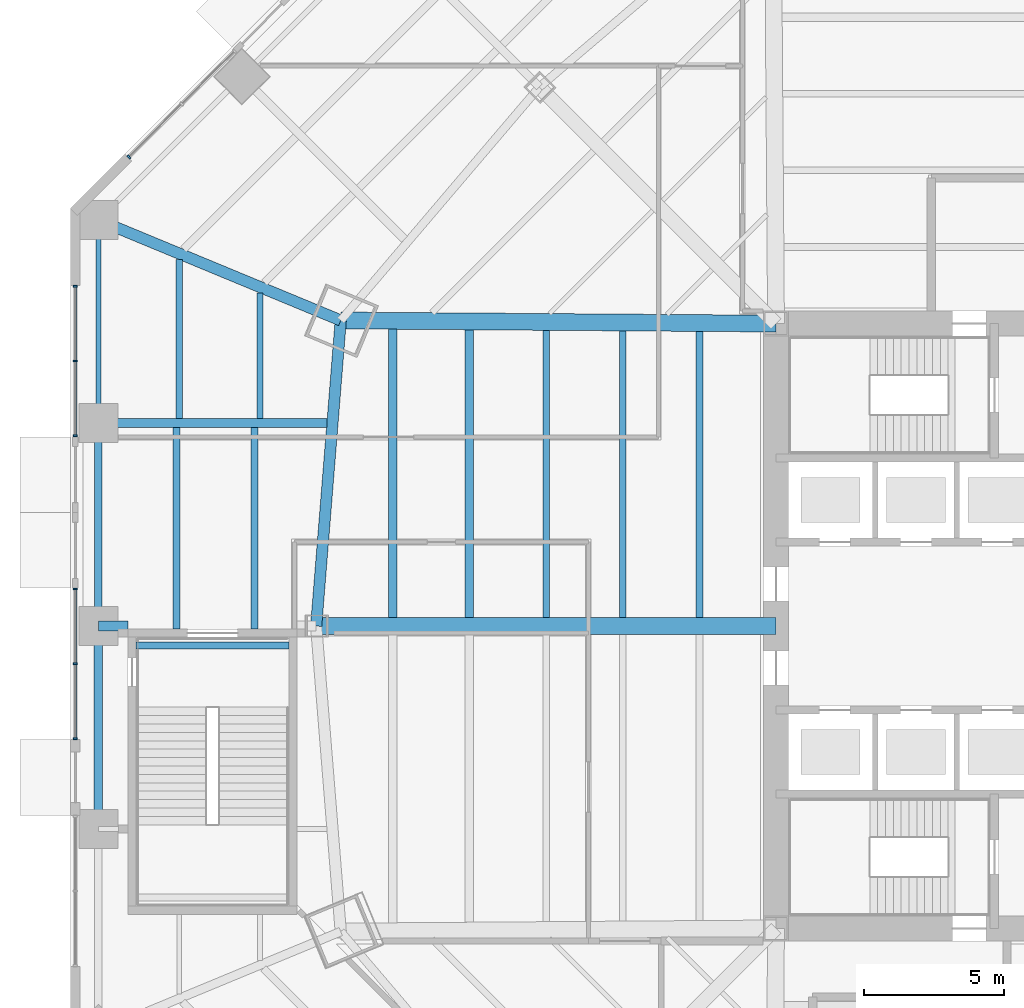
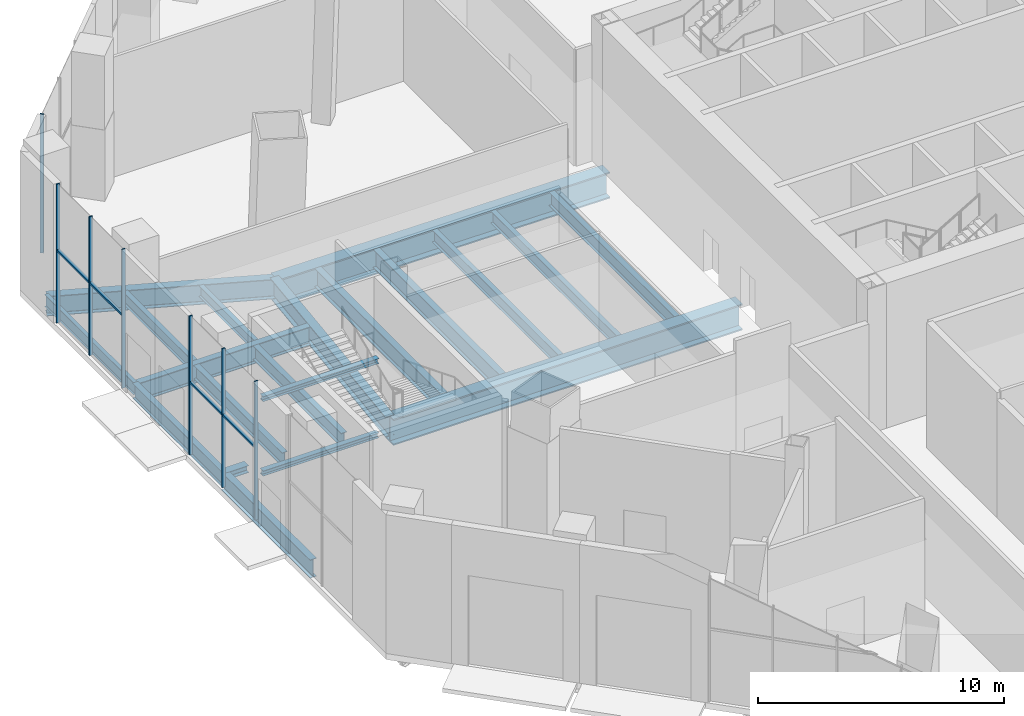
# One storey, part 8 of 35: 19 beams, 12 members, 3 elements without a shape of their own.
"""IFC4 building model written with IfcOpenShell, lengths in metres."""

from ifc_helpers import new_model, si_unit, direction, frame, origin, origin_2d, place, context, subcontext, project, spatial, rectangle, i_section, extrude, source, transform, mapped, material, material_profile, profile_set, type_object, type_shapes, element, aggregate, save


model = new_model("IFC4")

# Units and contexts
model_context = context("Model", 3, precision=1e-05, world=origin(), true_north=direction((0.0, 1.0)))
body_context = subcontext(model_context, "Body", "Model", "MODEL_VIEW")
ifc_project = project(units=[si_unit("LENGTHUNIT", "METRE"), si_unit("AREAUNIT", "SQUARE_METRE"), si_unit("VOLUMEUNIT", "CUBIC_METRE"), si_unit("PLANEANGLEUNIT", "RADIAN"), si_unit("MASSUNIT", "GRAM", prefix="KILO")], contexts=[model_context])

# Site, building, storey
site_placement = place(None, origin())
site = spatial("IfcSite", under=ifc_project, at=site_placement, CompositionType="ELEMENT")
building_placement = place(site_placement, origin())
building = spatial("IfcBuilding", under=site, at=building_placement, Name="Mashrafa Tower", CompositionType="ELEMENT")
storey_placement = place(building_placement, origin())
storey = spatial("IfcBuildingStorey", under=building, at=storey_placement, Name="L00", CompositionType="ELEMENT", Elevation=0.0)

# Beams
ifc_material_1 = material(Name="Steel ASTM A572 Gr 50", Category="steel")
ifc_material_profile_1 = material_profile(ifc_material_1, i_section(OverallWidth=0.60009765625, OverallDepth=1.300048828125, WebThickness=0.028076171875, FlangeThickness=0.06494140625, at=origin_2d()), Name="H1300X600X28X65")
ifc_profile_set_1 = profile_set([ifc_material_profile_1], Name="Steel ASTM A572 Gr 50")
beam_type_1 = type_object("IfcBeamType", Name="Beam H1300X600X28X65", PredefinedType="BEAM", material=ifc_profile_set_1)
beam_1_placement = place(storey_placement, frame((-10.800048828125, 0.0, -0.949951171875), z_axis=(-1.0, 0.0, 0.0), x_axis=(0.0, -1.0, 0.0)))
element("IfcBeam", 1, at=beam_1_placement, inside=storey, type_object=beam_type_1, Name="Radial girder L00 200", PredefinedType="BEAM", context=body_context, shape_type="SweptSolid", body=[
    extrude(i_section(OverallWidth=0.60009765625, OverallDepth=1.300048828125, WebThickness=0.028076171875, FlangeThickness=0.06494140625, at=origin_2d()), origin(), (0.0, 0.0, 1.0), 16.423095703125),
])
beam_2_placement = place(storey_placement, frame((-10.800048828125, 10.800048828125, -0.949951171875), z_axis=(-0.999973790557, 0.007240041422, 0.0), x_axis=(-0.007240041422, -0.999973790557, 0.0)))
element("IfcBeam", 2, at=beam_2_placement, inside=storey, type_object=beam_type_1, Name="Radial girder L00 201", PredefinedType="BEAM", context=body_context, shape_type="SweptSolid", body=[
    extrude(i_section(OverallWidth=0.60009765625, OverallDepth=1.300048828125, WebThickness=0.028076171875, FlangeThickness=0.06494140625, at=origin_2d()), origin(), (0.0, 0.0, 1.0), 15.54541015625),
])
ifc_material_2 = material(Name="Steel ASTM A992", Category="steel")
ifc_material_profile_2 = material_profile(ifc_material_2, i_section(OverallWidth=0.209228515625, OverallDepth=0.533447265625, WebThickness=0.01025390625, FlangeThickness=0.015625, FilletRadius=0.012939453125, at=origin_2d()), Name="W21X62")
ifc_profile_set_2 = profile_set([ifc_material_profile_2], Name="Steel ASTM A992")
beam_type_2 = type_object("IfcBeamType", Name="Beam W21X62", PredefinedType="BEAM", material=ifc_profile_set_2)
beam_3_placement = place(storey_placement, frame((-29.22998046875, 7.40234375, -0.566650390625), z_axis=(0.0, 1.0, 0.0), x_axis=(-1.0, 0.0, 0.0)))
element("IfcBeam", 3, at=beam_3_placement, inside=storey, type_object=beam_type_2, Name="Floor beam L00 007", PredefinedType="BEAM", context=body_context, shape_type="SweptSolid", body=[
    extrude(i_section(OverallWidth=0.209228515625, OverallDepth=0.533447265625, WebThickness=0.01025390625, FlangeThickness=0.015625, FilletRadius=0.012939453125, at=origin_2d()), origin(), (0.0, 0.0, 1.0), 4.488037109375),
])
ifc_material_3 = material(Name="Steel ASTM A992", Category="steel")
ifc_material_profile_3 = material_profile(ifc_material_3, i_section(OverallWidth=0.177978515625, OverallDepth=0.599365234375, WebThickness=0.010009765625, FlangeThickness=0.012939453125, FilletRadius=0.012939453125, at=origin_2d()), Name="W24X55")
ifc_profile_set_3 = profile_set([ifc_material_profile_3], Name="Steel ASTM A992")
beam_type_3 = type_object("IfcBeamType", Name="Beam W24X55", PredefinedType="BEAM", material=ifc_profile_set_3)
beam_4_placement = place(storey_placement, frame((-35.0, 14.49755859375, -0.599609375), z_axis=(0.0, -1.0, 0.0), x_axis=(1.0, 0.0, 0.0)))
element("IfcBeam", 4, at=beam_4_placement, inside=storey, type_object=beam_type_3, Name="Podium edge beam L00 112", PredefinedType="BEAM", context=body_context, shape_type="SweptSolid", body=[
    extrude(i_section(OverallWidth=0.177978515625, OverallDepth=0.599365234375, WebThickness=0.010009765625, FlangeThickness=0.012939453125, FilletRadius=0.012939453125, at=origin_2d()), origin(), (0.0, 0.0, 1.0), 7.248779296875),
])
ifc_material_4 = material(Name="Steel ASTM A992", Category="steel")
ifc_material_profile_4 = material_profile(ifc_material_4, i_section(OverallWidth=0.227783203125, OverallDepth=0.60205078125, WebThickness=0.010498046875, FlangeThickness=0.014892578125, FilletRadius=0.012939453125, at=origin_2d()), Name="W24X68")
ifc_profile_set_4 = profile_set([ifc_material_profile_4], Name="Steel ASTM A992")
beam_type_4 = type_object("IfcBeamType", Name="Beam W24X68", PredefinedType="BEAM", material=ifc_profile_set_4)
beam_5_placement = place(storey_placement, frame((-32.114990234375, 7.40234375, -0.60107421875), z_axis=(0.0, 1.0, 0.0), x_axis=(-1.0, 0.0, 0.0)))
element("IfcBeam", 5, at=beam_5_placement, inside=storey, type_object=beam_type_4, Name="Floor beam L00 003", PredefinedType="BEAM", context=body_context, shape_type="SweptSolid", body=[
    extrude(i_section(OverallWidth=0.227783203125, OverallDepth=0.60205078125, WebThickness=0.010498046875, FlangeThickness=0.014892578125, FilletRadius=0.012939453125, at=origin_2d()), origin(), (0.0, 0.0, 1.0), 5.682861328125),
])
ifc_material_5 = material(Name="Steel ASTM A992", Category="steel")
ifc_material_profile_5 = material_profile(ifc_material_5, i_section(OverallWidth=0.228271484375, OverallDepth=0.607177734375, WebThickness=0.01123046875, FlangeThickness=0.017333984375, FilletRadius=0.0126953125, at=origin_2d()), Name="W24X76")
ifc_profile_set_5 = profile_set([ifc_material_profile_5], Name="Steel ASTM A992")
beam_type_5 = type_object("IfcBeamType", Name="Beam W24X76", PredefinedType="BEAM", material=ifc_profile_set_5)
beam_6_placement = place(storey_placement, frame((-19.01171875, 0.300048828125, -0.603515625), z_axis=(0.0, 1.0, 0.0), x_axis=(-1.0, 0.0, 0.0)))
element("IfcBeam", 6, at=beam_6_placement, inside=storey, type_object=beam_type_5, Name="Floor beam L00 020", PredefinedType="BEAM", context=body_context, shape_type="SweptSolid", body=[
    extrude(i_section(OverallWidth=0.228271484375, OverallDepth=0.607177734375, WebThickness=0.01123046875, FlangeThickness=0.017333984375, FilletRadius=0.0126953125, at=origin_2d()), origin(), (0.0, 0.0, 1.0), 10.25927734375),
])
beam_7_placement = place(storey_placement, frame((-16.2744140625, 0.300048828125, -0.603515625), z_axis=(0.0, 1.0, 0.0), x_axis=(-1.0, 0.0, 0.0)))
element("IfcBeam", 7, at=beam_7_placement, inside=storey, type_object=beam_type_5, Name="Floor beam L00 024", PredefinedType="BEAM", context=body_context, shape_type="SweptSolid", body=[
    extrude(i_section(OverallWidth=0.228271484375, OverallDepth=0.607177734375, WebThickness=0.01123046875, FlangeThickness=0.017333984375, FilletRadius=0.0126953125, at=origin_2d()), origin(), (0.0, 0.0, 1.0), 10.239501953125),
])
ifc_material_6 = material(Name="Steel ASTM A992", Category="steel")
ifc_material_profile_6 = material_profile(ifc_material_6, i_section(OverallWidth=0.256591796875, OverallDepth=0.693359375, WebThickness=0.014404296875, FlangeThickness=0.023681640625, FilletRadius=0.01513671875, at=origin_2d()), Name="W27X114")
ifc_profile_set_6 = profile_set([ifc_material_profile_6], Name="Steel ASTM A992")
beam_type_6 = type_object("IfcBeamType", Name="Beam W27X114", PredefinedType="BEAM", material=ifc_profile_set_6)
beam_8_placement = place(storey_placement, frame((-29.426513671875, -0.10009765625, -0.646728515625), z_axis=(0.0, 1.0, 0.0), x_axis=(-1.0, 0.0, 0.0)))
element("IfcBeam", 8, at=beam_8_placement, inside=storey, type_object=beam_type_6, Name="Floor beam L00 005", PredefinedType="BEAM", context=body_context, shape_type="SweptSolid", body=[
    extrude(i_section(OverallWidth=0.256591796875, OverallDepth=0.693359375, WebThickness=0.014404296875, FlangeThickness=0.023681640625, FilletRadius=0.01513671875, at=origin_2d()), origin(), (0.0, 0.0, 1.0), 7.195068359375),
])
ifc_material_7 = material(Name="Steel ASTM A992", Category="steel")
ifc_material_profile_7 = material_profile(ifc_material_7, i_section(OverallWidth=0.25390625, OverallDepth=0.67822265625, WebThickness=0.01171875, FlangeThickness=0.016357421875, FilletRadius=0.01513671875, at=origin_2d()), Name="W27X84")
ifc_profile_set_7 = profile_set([ifc_material_profile_7], Name="Steel ASTM A992")
beam_type_7 = type_object("IfcBeamType", Name="Beam W27X84", PredefinedType="BEAM", material=ifc_profile_set_7)
beam_9_placement = place(storey_placement, frame((-32.21337890625, -0.10009765625, -0.63916015625), z_axis=(0.0, 1.0, 0.0), x_axis=(-1.0, 0.0, 0.0)))
element("IfcBeam", 9, at=beam_9_placement, inside=storey, type_object=beam_type_7, Name="Floor beam L00 001", PredefinedType="BEAM", context=body_context, shape_type="SweptSolid", body=[
    extrude(i_section(OverallWidth=0.25390625, OverallDepth=0.67822265625, WebThickness=0.01171875, FlangeThickness=0.016357421875, FilletRadius=0.01513671875, at=origin_2d()), origin(), (0.0, 0.0, 1.0), 7.195068359375),
])
beam_10_placement = place(storey_placement, frame((-13.537109375, 0.300048828125, -0.63916015625), z_axis=(0.0, 1.0, 0.0), x_axis=(-1.0, 0.0, 0.0)))
element("IfcBeam", 10, at=beam_10_placement, inside=storey, type_object=beam_type_7, Name="Floor beam L00 029", PredefinedType="BEAM", context=body_context, shape_type="SweptSolid", body=[
    extrude(i_section(OverallWidth=0.25390625, OverallDepth=0.67822265625, WebThickness=0.01171875, FlangeThickness=0.016357421875, FilletRadius=0.01513671875, at=origin_2d()), origin(), (0.0, 0.0, 1.0), 10.2197265625),
])
ifc_material_8 = material(Name="Steel ASTM A992", Category="steel")
ifc_material_profile_8 = material_profile(ifc_material_8, i_section(OverallWidth=0.2666015625, OverallDepth=0.75439453125, WebThickness=0.01318359375, FlangeThickness=0.01708984375, FilletRadius=0.0166015625, at=origin_2d()), Name="W30X99")
ifc_profile_set_8 = profile_set([ifc_material_profile_8], Name="Steel ASTM A992")
beam_type_8 = type_object("IfcBeamType", Name="Beam W30X99", PredefinedType="BEAM", material=ifc_profile_set_8)
beam_11_placement = place(storey_placement, frame((-35.0, 7.248779296875, -0.67724609375), z_axis=(0.0, -1.0, 0.0), x_axis=(1.0, 0.0, 0.0)))
element("IfcBeam", 11, at=beam_11_placement, inside=storey, type_object=beam_type_8, Name="Podium edge beam L00 111", PredefinedType="BEAM", context=body_context, shape_type="SweptSolid", body=[
    extrude(i_section(OverallWidth=0.2666015625, OverallDepth=0.75439453125, WebThickness=0.01318359375, FlangeThickness=0.01708984375, FilletRadius=0.0166015625, at=origin_2d()), origin(), (0.0, 0.0, 1.0), 7.248779296875),
])
ifc_material_9 = material(Name="Steel ASTM A992", Category="steel")
ifc_material_profile_9 = material_profile(ifc_material_9, i_section(OverallWidth=0.3046875, OverallDepth=0.911865234375, WebThickness=0.015869140625, FlangeThickness=0.02392578125, FilletRadius=0.01904296875, at=origin_2d()), Name="W36X150")
ifc_profile_set_9 = profile_set([ifc_material_profile_9], Name="Steel ASTM A992")
beam_type_9 = type_object("IfcBeamType", Name="Beam W36X150", PredefinedType="BEAM", material=ifc_profile_set_9)
beam_12_placement = place(storey_placement, frame((-21.748779296875, 0.300048828125, -0.755859375), z_axis=(0.0, 1.0, 0.0), x_axis=(-1.0, 0.0, 0.0)))
element("IfcBeam", 12, at=beam_12_placement, inside=storey, type_object=beam_type_9, Name="Floor beam L00 015", PredefinedType="BEAM", context=body_context, shape_type="SweptSolid", body=[
    extrude(i_section(OverallWidth=0.3046875, OverallDepth=0.911865234375, WebThickness=0.015869140625, FlangeThickness=0.02392578125, FilletRadius=0.01904296875, at=origin_2d()), origin(), (0.0, 0.0, 1.0), 10.279052734375),
])
beam_13_placement = place(storey_placement, frame((-35.0, 0.0, -0.755859375), z_axis=(0.0, -1.0, 0.0), x_axis=(1.0, 0.0, 0.0)))
element("IfcBeam", 13, at=beam_13_placement, inside=storey, type_object=beam_type_9, Name="Podium edge beam L00 110", PredefinedType="BEAM", context=body_context, shape_type="SweptSolid", body=[
    extrude(i_section(OverallWidth=0.3046875, OverallDepth=0.911865234375, WebThickness=0.015869140625, FlangeThickness=0.02392578125, FilletRadius=0.01904296875, at=origin_2d()), origin(), (0.0, 0.0, 1.0), 7.248779296875),
])
ifc_material_10 = material(Name="Steel ASTM A992", Category="steel")
ifc_material_profile_10 = material_profile(ifc_material_10, i_section(OverallWidth=0.307373046875, OverallDepth=0.927001953125, WebThickness=0.01953125, FlangeThickness=0.031982421875, FilletRadius=0.01904296875, at=origin_2d()), Name="W36X194")
ifc_profile_set_10 = profile_set([ifc_material_profile_10], Name="Steel ASTM A992")
beam_type_10 = type_object("IfcBeamType", Name="Beam W36X194", PredefinedType="BEAM", material=ifc_profile_set_10)
beam_14_placement = place(storey_placement, frame((-24.486083984375, 0.300048828125, -0.763671875), z_axis=(0.0, 1.0, 0.0), x_axis=(-1.0, 0.0, 0.0)))
element("IfcBeam", 14, at=beam_14_placement, inside=storey, type_object=beam_type_10, Name="Floor beam L00 010", PredefinedType="BEAM", context=body_context, shape_type="SweptSolid", body=[
    extrude(i_section(OverallWidth=0.307373046875, OverallDepth=0.927001953125, WebThickness=0.01953125, FlangeThickness=0.031982421875, FilletRadius=0.01904296875, at=origin_2d()), origin(), (0.0, 0.0, 1.0), 10.299072265625),
])
beam_15_placement = place(storey_placement, frame((-26.841064453125, 7.248779296875, -0.763671875), z_axis=(-1.0, 0.0, 0.0), x_axis=(0.0, -1.0, 0.0)))
element("IfcBeam", 15, at=beam_15_placement, inside=storey, type_object=beam_type_10, Name="Podium radial beam L00 144", PredefinedType="BEAM", context=body_context, shape_type="SweptSolid", body=[
    extrude(i_section(OverallWidth=0.307373046875, OverallDepth=0.927001953125, WebThickness=0.01953125, FlangeThickness=0.031982421875, FilletRadius=0.01904296875, at=origin_2d()), origin(), (0.0, 0.0, 1.0), 8.158935546875),
])
ifc_material_11 = material(Name="Steel ASTM A992", Category="steel")
ifc_material_profile_11 = material_profile(ifc_material_11, i_section(OverallWidth=0.4013671875, OverallDepth=0.98291015625, WebThickness=0.0166015625, FlangeThickness=0.027099609375, FilletRadius=0.0126953125, at=origin_2d()), Name="W40X199")
ifc_profile_set_11 = profile_set([ifc_material_profile_11], Name="Steel ASTM A992")
beam_type_11 = type_object("IfcBeamType", Name="Beam W40X199", PredefinedType="BEAM", material=ifc_profile_set_11)
beam_16_placement = place(storey_placement, frame((-26.344970703125, 10.91259765625, -0.79150390625), z_axis=(-0.923882158446, 0.382677092737, 0.0), x_axis=(-0.382677092737, -0.923882158446, 0.0)))
element("IfcBeam", 16, at=beam_16_placement, inside=storey, type_object=beam_type_11, Name="Podium radial beam L00 146", PredefinedType="BEAM", context=body_context, shape_type="SweptSolid", body=[
    extrude(i_section(OverallWidth=0.4013671875, OverallDepth=0.98291015625, WebThickness=0.0166015625, FlangeThickness=0.027099609375, FilletRadius=0.0126953125, at=origin_2d()), origin(), (0.0, 0.0, 1.0), 9.3681640625),
])
ifc_material_12 = material(Name="Steel ASTM A992", Category="steel")
ifc_material_profile_12 = material_profile(ifc_material_12, i_section(OverallWidth=0.4013671875, OverallDepth=1.010986328125, WebThickness=0.023681640625, FlangeThickness=0.0419921875, FilletRadius=0.02001953125, at=origin_2d()), Name="W40X297")
ifc_profile_set_12 = profile_set([ifc_material_profile_12], Name="Steel ASTM A992")
beam_type_12 = type_object("IfcBeamType", Name="Beam W40X297", PredefinedType="BEAM", material=ifc_profile_set_12)
beam_17_placement = place(storey_placement, frame((-26.344970703125, 10.91259765625, -0.805419921875), z_axis=(-0.080214086477, -0.996777658423, 0.0), x_axis=(0.996777658423, -0.080214086477, 0.0)))
element("IfcBeam", 17, at=beam_17_placement, inside=storey, type_object=beam_type_12, Name="Podium ring girder L00 183", PredefinedType="BEAM", context=body_context, shape_type="SweptSolid", body=[
    extrude(i_section(OverallWidth=0.4013671875, OverallDepth=1.010986328125, WebThickness=0.023681640625, FlangeThickness=0.0419921875, FilletRadius=0.02001953125, at=origin_2d()), origin(), (0.0, 0.0, 1.0), 10.94775390625),
])
ifc_material_13 = material(Name="Steel ASTM A992", Category="steel")
ifc_material_profile_13 = material_profile(ifc_material_13, i_section(OverallWidth=0.25390625, OverallDepth=0.25390625, WebThickness=0.008544921875, FlangeThickness=0.01416015625, FilletRadius=0.010009765625, at=origin_2d()), Name="W10X49")
ifc_profile_set_13 = profile_set([ifc_material_profile_13], Name="Steel ASTM A992")
beam_type_13 = type_object("IfcBeamType", Name="Hoistway beam W10X49", PredefinedType="BEAM", material=ifc_profile_set_13)
for number, where, z_axis, x_axis, name in (
    (18, (-33.64990234375, -0.699951171875, -0.427001953125), (1.0, 0.0, 0.0), (0.0, 1.0, 0.0), "Stair P3 landing beam L00"),
    (19, (-33.64990234375, -0.699951171875, 3.27294921875), (1.0, 0.0, 0.0), (0.0, 1.0, 0.0), "Stair P3 landing beam L00"),
):
    element("IfcBeam", number, at=place(storey_placement, frame(where, z_axis=z_axis, x_axis=x_axis)), inside=storey, type_object=beam_type_13, Name=name, PredefinedType="BEAM", context=body_context, shape_type="SweptSolid", body=[
        extrude(i_section(OverallWidth=0.25390625, OverallDepth=0.25390625, WebThickness=0.008544921875, FlangeThickness=0.01416015625, FilletRadius=0.010009765625, at=origin_2d()), origin(), (0.0, 0.0, 1.0), 5.449951171875),
    ])

# Member
ifc_material_14 = material(Name="Steel ASTM A992", Category="steel")
ifc_material_profile_14 = material_profile(ifc_material_14, i_section(OverallWidth=0.368408203125, OverallDepth=0.355712890625, WebThickness=0.01123046875, FlangeThickness=0.01806640625, FilletRadius=0.01513671875, at=origin_2d()), Name="W14X90")
ifc_profile_set_14 = profile_set([ifc_material_profile_14], Name="Steel ASTM A992")
member_type_1 = type_object("IfcMemberType", Name="Tie strut W14X90", PredefinedType="STRUT", material=ifc_profile_set_14)
shared_shape_1 = source(origin(), body_context, "Body", "SweptSolid", [
    extrude(i_section(OverallWidth=0.368408203125, OverallDepth=0.355712890625, WebThickness=0.01123046875, FlangeThickness=0.01806640625, FilletRadius=0.01513671875, at=origin_2d()), origin(), (0.0, 0.0, 1.0), 1.050048828125),
])
type_shapes(member_type_1, [shared_shape_1])
member_1_placement = place(storey_placement, frame((-33.949951171875, 0.0, -0.477783203125), z_axis=(-1.0, 0.0, 0.0), x_axis=(0.0, -1.0, 0.0)))
element("IfcMember", 20, at=member_1_placement, inside=storey, type_object=member_type_1, Name="Tie strut L00 141", PredefinedType="STRUT", context=body_context, shape_type="MappedRepresentation", body=[
    mapped(shared_shape_1, transform((0.0, 0.0, 0.0))),
])

# Curtain wall, member
ifc_material_15 = material(Name="Unitised aluminium curtain wall", Category="aluminium")
curtain_wall_type = type_object("IfcCurtainWallType", Name="Podium storefront CW-P 150 deep", PredefinedType="NOTDEFINED", material=ifc_material_15)
curtain_wall_1_placement = place(storey_placement, origin())
curtain_wall_1 = element("IfcCurtainWall", 21, at=curtain_wall_1_placement, inside=storey, type_object=curtain_wall_type, Name="Podium storefront L00 north-west part 2", PredefinedType="NOTDEFINED")
ifc_material_16 = material(Name="Extruded aluminium mullion", Category="aluminium")
ifc_material_profile_15 = material_profile(ifc_material_16, rectangle(XDim=0.14990234375, YDim=0.06494140625, at=origin_2d()), Name="Mullion 65x150")
ifc_profile_set_15 = profile_set([ifc_material_profile_15], Name="Extruded aluminium mullion")
member_type_2 = type_object("IfcMemberType", Name="Mullion CW-P 65 x 150", PredefinedType="MULLION", material=ifc_profile_set_15)
shared_shape_2 = source(origin(), body_context, "Body", "SweptSolid", [
    extrude(rectangle(XDim=0.14990234375, YDim=0.06494140625, at=origin_2d()), origin(), (0.0, 0.0, 1.0), 6.89990234375),
])
type_shapes(member_type_2, [shared_shape_2])
member_2_placement = place(storey_placement, frame((-33.912109375, 16.751953125, 0.0), z_axis=(0.0, 0.0, 1.0), x_axis=(0.707106781187, -0.707106781187, 0.0)))
member_2 = element("IfcMember", 22, at=member_2_placement, type_object=member_type_2, Name="CW-P mullion 3", PredefinedType="MULLION", context=body_context, shape_type="MappedRepresentation", body=[
    mapped(shared_shape_2, transform((0.0, 0.0, 0.0))),
])
aggregate(curtain_wall_1, [member_2])

# Curtain wall, members
curtain_wall_2_placement = place(storey_placement, origin())
curtain_wall_2 = element("IfcCurtainWall", 23, at=curtain_wall_2_placement, inside=storey, type_object=curtain_wall_type, Name="Podium storefront L00 west part 1", PredefinedType="NOTDEFINED")
member_3_placement = place(storey_placement, frame((-35.824951171875, 12.134033203125, 0.0), z_axis=(0.0, 0.0, 1.0), x_axis=(1.0, 0.0, 0.0)))
member_3 = element("IfcMember", 24, at=member_3_placement, type_object=member_type_2, Name="CW-P mullion 1", PredefinedType="MULLION", context=body_context, shape_type="MappedRepresentation", body=[
    mapped(shared_shape_2, transform((0.0, 0.0, 0.0))),
])
member_4_placement = place(storey_placement, frame((-35.824951171875, 9.462890625, 0.0), z_axis=(0.0, 0.0, 1.0), x_axis=(1.0, 0.0, 0.0)))
member_4 = element("IfcMember", 25, at=member_4_placement, type_object=member_type_2, Name="CW-P mullion 2", PredefinedType="MULLION", context=body_context, shape_type="MappedRepresentation", body=[
    mapped(shared_shape_2, transform((0.0, 0.0, 0.0))),
])
member_5_placement = place(storey_placement, frame((-35.824951171875, 6.791748046875, 0.0), z_axis=(0.0, 0.0, 1.0), x_axis=(1.0, 0.0, 0.0)))
member_5 = element("IfcMember", 26, at=member_5_placement, type_object=member_type_2, Name="CW-P mullion 3", PredefinedType="MULLION", context=body_context, shape_type="MappedRepresentation", body=[
    mapped(shared_shape_2, transform((0.0, 0.0, 0.0))),
])

curtain_wall_3_placement = place(storey_placement, origin())
curtain_wall_3 = element("IfcCurtainWall", 27, at=curtain_wall_3_placement, inside=storey, type_object=curtain_wall_type, Name="Podium storefront L00 west part 2", PredefinedType="NOTDEFINED")
member_6_placement = place(storey_placement, frame((-35.824951171875, 1.3193359375, 0.0), z_axis=(0.0, 0.0, 1.0), x_axis=(1.0, 0.0, 0.0)))
member_6 = element("IfcMember", 28, at=member_6_placement, type_object=member_type_2, Name="CW-P mullion 1", PredefinedType="MULLION", context=body_context, shape_type="MappedRepresentation", body=[
    mapped(shared_shape_2, transform((0.0, 0.0, 0.0))),
])
member_7_placement = place(storey_placement, frame((-35.824951171875, -1.351806640625, 0.0), z_axis=(0.0, 0.0, 1.0), x_axis=(1.0, 0.0, 0.0)))
member_7 = element("IfcMember", 29, at=member_7_placement, type_object=member_type_2, Name="CW-P mullion 2", PredefinedType="MULLION", context=body_context, shape_type="MappedRepresentation", body=[
    mapped(shared_shape_2, transform((0.0, 0.0, 0.0))),
])
member_8_placement = place(storey_placement, frame((-35.824951171875, -4.02294921875, 0.0), z_axis=(0.0, 0.0, 1.0), x_axis=(1.0, 0.0, 0.0)))
member_8 = element("IfcMember", 30, at=member_8_placement, type_object=member_type_2, Name="CW-P mullion 3", PredefinedType="MULLION", context=body_context, shape_type="MappedRepresentation", body=[
    mapped(shared_shape_2, transform((0.0, 0.0, 0.0))),
])

# Member
ifc_material_17 = material(Name="Extruded aluminium transom", Category="aluminium")
ifc_material_profile_16 = material_profile(ifc_material_17, rectangle(XDim=0.1201171875, YDim=0.10009765625, at=origin_2d()), Name="Transom 100x120")
ifc_profile_set_16 = profile_set([ifc_material_profile_16], Name="Extruded aluminium transom")
member_type_3 = type_object("IfcMemberType", Name="Transom CW-P 100 x 120", PredefinedType="MULLION", material=ifc_profile_set_16)
shared_shape_3 = source(origin(), body_context, "Body", "SweptSolid", [
    extrude(rectangle(XDim=0.1201171875, YDim=0.10009765625, at=origin_2d()), origin(), (0.0, 0.0, 1.0), 2.606201171875),
])
type_shapes(member_type_3, [shared_shape_3])
member_9_placement = place(storey_placement, frame((-35.824951171875, 12.1015625, 3.60009765625), z_axis=(0.0, -1.0, 0.0), x_axis=(1.0, 0.0, 0.0)))
member_9 = element("IfcMember", 31, at=member_9_placement, type_object=member_type_3, Name="CW-P transom 1", PredefinedType="MULLION", context=body_context, shape_type="MappedRepresentation", body=[
    mapped(shared_shape_3, transform((0.0, 0.0, 0.0))),
])

member_10_placement = place(storey_placement, frame((-35.824951171875, 9.430419921875, 3.60009765625), z_axis=(0.0, -1.0, 0.0), x_axis=(1.0, 0.0, 0.0)))
member_10 = element("IfcMember", 32, at=member_10_placement, type_object=member_type_3, Name="CW-P transom 2", PredefinedType="MULLION", context=body_context, shape_type="MappedRepresentation", body=[
    mapped(shared_shape_3, transform((0.0, 0.0, 0.0))),
])

aggregate(curtain_wall_2, [member_3, member_4, member_5, member_9, member_10])

member_11_placement = place(storey_placement, frame((-35.824951171875, 1.286865234375, 3.60009765625), z_axis=(0.0, -1.0, 0.0), x_axis=(1.0, 0.0, 0.0)))
member_11 = element("IfcMember", 33, at=member_11_placement, type_object=member_type_3, Name="CW-P transom 1", PredefinedType="MULLION", context=body_context, shape_type="MappedRepresentation", body=[
    mapped(shared_shape_3, transform((0.0, 0.0, 0.0))),
])

member_12_placement = place(storey_placement, frame((-35.824951171875, -1.38427734375, 3.60009765625), z_axis=(0.0, -1.0, 0.0), x_axis=(1.0, 0.0, 0.0)))
member_12 = element("IfcMember", 34, at=member_12_placement, type_object=member_type_3, Name="CW-P transom 2", PredefinedType="MULLION", context=body_context, shape_type="MappedRepresentation", body=[
    mapped(shared_shape_3, transform((0.0, 0.0, 0.0))),
])

aggregate(curtain_wall_3, [member_6, member_7, member_8, member_11, member_12])

save(model, "model.ifc")
